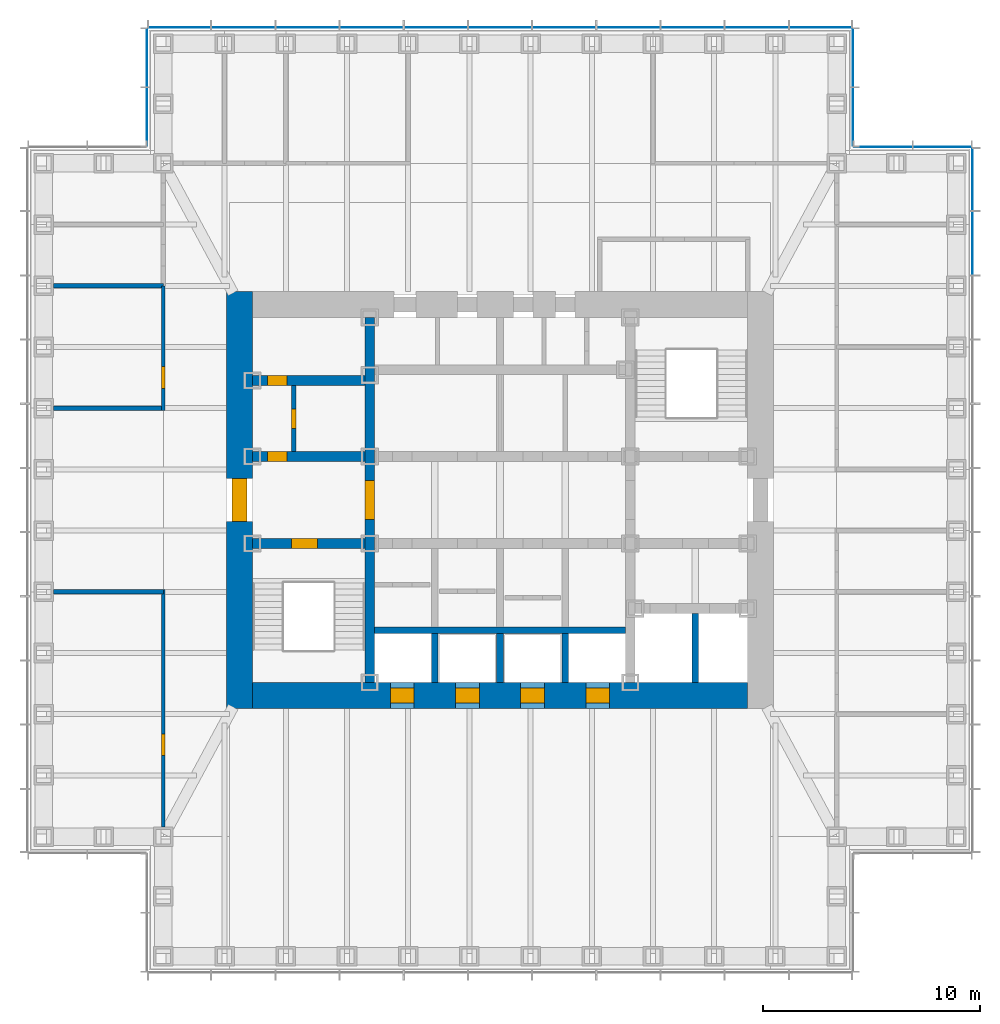
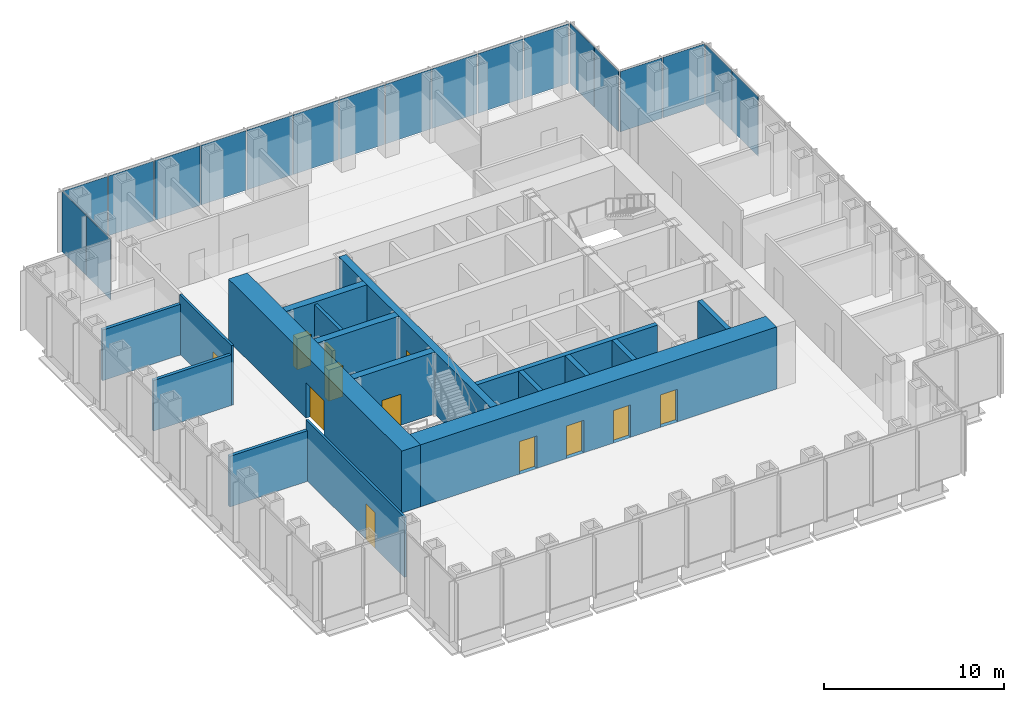
# One storey, part 8 of 16: 19 plates, 17 walls, 12 doors, 12 openings, 5 elements without a shape of their own.
"""IFC4 building model written with IfcOpenShell, lengths in metres."""

from ifc_helpers import new_model, si_unit, direction, frame, frame_2d, origin, origin_2d, place, context, subcontext, project, spatial, rectangle, extrude, material, layer, layer_set, type_object, element, fill, aggregate, save


model = new_model("IFC4")

# Units and contexts
model_context = context("Model", 3, precision=1e-05, world=origin(), true_north=direction((0.0, 1.0)))
body_context = subcontext(model_context, "Body", "Model", "MODEL_VIEW")
ifc_project = project(units=[si_unit("LENGTHUNIT", "METRE"), si_unit("AREAUNIT", "SQUARE_METRE"), si_unit("VOLUMEUNIT", "CUBIC_METRE"), si_unit("PLANEANGLEUNIT", "RADIAN"), si_unit("MASSUNIT", "GRAM", prefix="KILO")], contexts=[model_context])

# Site, building, storey
site_placement = place(None, origin())
site = spatial("IfcSite", under=ifc_project, at=site_placement, CompositionType="ELEMENT")
building_placement = place(site_placement, origin())
building = spatial("IfcBuilding", under=site, at=building_placement, Name="Daluyong Arena Tower", CompositionType="ELEMENT")
storey_placement = place(building_placement, frame((0.0, 0.0, 210.699951171875)))
storey = spatial("IfcBuildingStorey", under=building, at=storey_placement, Name="L47", CompositionType="ELEMENT", Elevation=210.699951171875)

# Curtain wall, plates
ifc_material_1 = material(Name="Bronze anodised aluminium and glass", Category="aluminium")
curtain_wall_type_1 = type_object("IfcCurtainWallType", Name="Curtain wall CW3", PredefinedType="USERDEFINED", material=ifc_material_1)
curtain_wall_1_placement = place(storey_placement, origin())
curtain_wall_1 = element("IfcCurtainWall", 1, at=curtain_wall_1_placement, inside=storey, type_object=curtain_wall_type_1, Name="curtain wall L47 E", ObjectType="UNITISED CURTAIN WALL", PredefinedType="USERDEFINED")
ifc_material_2 = material(Name="Tinted double glazed unit", Category="glass")
ifc_layer_1 = layer(ifc_material_2, 0.030029296875)
ifc_layer_set_1 = layer_set([ifc_layer_1], Name="Tinted double glazed unit")
plate_type_1 = type_object("IfcPlateType", Name="CW3 panel 30", PredefinedType="CURTAIN_PANEL", material=ifc_layer_set_1)
plate_1_placement = place(storey_placement, frame((77.75, 91.818115234375, 0.0), z_axis=(0.0, 0.0, 1.0), x_axis=(0.0, 1.0, 0.0)))
plate_1 = element("IfcPlate", 2, at=plate_1_placement, type_object=plate_type_1, Name="curtain wall L47 E panel 10", PredefinedType="CURTAIN_PANEL", context=body_context, shape_type="SweptSolid", body=[
    extrude(rectangle(XDim=2.884521484375, YDim=0.030029296875, at=origin_2d()), origin(), (0.0, 0.0, 1.0), 4.0400390625),
])
plate_2_placement = place(storey_placement, frame((77.75, 94.755126953125, 0.0), z_axis=(0.0, 0.0, 1.0), x_axis=(0.0, 1.0, 0.0)))
plate_2 = element("IfcPlate", 3, at=plate_2_placement, type_object=plate_type_1, Name="curtain wall L47 E panel 11", PredefinedType="CURTAIN_PANEL", context=body_context, shape_type="SweptSolid", body=[
    extrude(rectangle(XDim=2.849609375, YDim=0.030029296875, at=origin_2d()), origin(), (0.0, 0.0, 1.0), 4.0400390625),
])
aggregate(curtain_wall_1, [plate_1, plate_2])

curtain_wall_2_placement = place(storey_placement, origin())
curtain_wall_2 = element("IfcCurtainWall", 4, at=curtain_wall_2_placement, inside=storey, type_object=curtain_wall_type_1, Name="curtain wall L47 N", ObjectType="UNITISED CURTAIN WALL", PredefinedType="USERDEFINED")
plate_3_placement = place(storey_placement, frame((70.755126953125, 101.75, 0.0), z_axis=(0.0, 0.0, 1.0), x_axis=(-1.0, 0.0, 0.0)))
plate_3 = element("IfcPlate", 5, at=plate_3_placement, type_object=plate_type_1, Name="curtain wall L47 N panel 1", PredefinedType="CURTAIN_PANEL", context=body_context, shape_type="SweptSolid", body=[
    extrude(rectangle(XDim=2.849609375, YDim=0.030029296875, at=origin_2d()), origin(), (0.0, 0.0, 1.0), 4.0400390625),
])
plate_4_placement = place(storey_placement, frame((67.818115234375, 101.75, 0.0), z_axis=(0.0, 0.0, 1.0), x_axis=(-1.0, 0.0, 0.0)))
plate_4 = element("IfcPlate", 6, at=plate_4_placement, type_object=plate_type_1, Name="curtain wall L47 N panel 2", PredefinedType="CURTAIN_PANEL", context=body_context, shape_type="SweptSolid", body=[
    extrude(rectangle(XDim=2.884521484375, YDim=0.030029296875, at=origin_2d()), origin(), (0.0, 0.0, 1.0), 4.0400390625),
])
plate_5_placement = place(storey_placement, frame((64.863525390625, 101.75, 0.0), z_axis=(0.0, 0.0, 1.0), x_axis=(-1.0, 0.0, 0.0)))
plate_5 = element("IfcPlate", 7, at=plate_5_placement, type_object=plate_type_1, Name="curtain wall L47 N panel 3", PredefinedType="CURTAIN_PANEL", context=body_context, shape_type="SweptSolid", body=[
    extrude(rectangle(XDim=2.884521484375, YDim=0.030029296875, at=origin_2d()), origin(), (0.0, 0.0, 1.0), 4.0400390625),
])
plate_6_placement = place(storey_placement, frame((61.9091796875, 101.75, 0.0), z_axis=(0.0, 0.0, 1.0), x_axis=(-1.0, 0.0, 0.0)))
plate_6 = element("IfcPlate", 8, at=plate_6_placement, type_object=plate_type_1, Name="curtain wall L47 N panel 4", PredefinedType="CURTAIN_PANEL", context=body_context, shape_type="SweptSolid", body=[
    extrude(rectangle(XDim=2.884521484375, YDim=0.030029296875, at=origin_2d()), origin(), (0.0, 0.0, 1.0), 4.0400390625),
])
plate_7_placement = place(storey_placement, frame((58.95458984375, 101.75, 0.0), z_axis=(0.0, 0.0, 1.0), x_axis=(-1.0, 0.0, 0.0)))
plate_7 = element("IfcPlate", 9, at=plate_7_placement, type_object=plate_type_1, Name="curtain wall L47 N panel 5", PredefinedType="CURTAIN_PANEL", context=body_context, shape_type="SweptSolid", body=[
    extrude(rectangle(XDim=2.884521484375, YDim=0.030029296875, at=origin_2d()), origin(), (0.0, 0.0, 1.0), 4.0400390625),
])
plate_8_placement = place(storey_placement, frame((56.0, 101.75, 0.0), z_axis=(0.0, 0.0, 1.0), x_axis=(-1.0, 0.0, 0.0)))
plate_8 = element("IfcPlate", 10, at=plate_8_placement, type_object=plate_type_1, Name="curtain wall L47 N panel 6", PredefinedType="CURTAIN_PANEL", context=body_context, shape_type="SweptSolid", body=[
    extrude(rectangle(XDim=2.884521484375, YDim=0.030029296875, at=origin_2d()), origin(), (0.0, 0.0, 1.0), 4.0400390625),
])
plate_9_placement = place(storey_placement, frame((53.04541015625, 101.75, 0.0), z_axis=(0.0, 0.0, 1.0), x_axis=(-1.0, 0.0, 0.0)))
plate_9 = element("IfcPlate", 11, at=plate_9_placement, type_object=plate_type_1, Name="curtain wall L47 N panel 7", PredefinedType="CURTAIN_PANEL", context=body_context, shape_type="SweptSolid", body=[
    extrude(rectangle(XDim=2.884521484375, YDim=0.030029296875, at=origin_2d()), origin(), (0.0, 0.0, 1.0), 4.0400390625),
])
plate_10_placement = place(storey_placement, frame((50.0908203125, 101.75, 0.0), z_axis=(0.0, 0.0, 1.0), x_axis=(-1.0, 0.0, 0.0)))
plate_10 = element("IfcPlate", 12, at=plate_10_placement, type_object=plate_type_1, Name="curtain wall L47 N panel 8", PredefinedType="CURTAIN_PANEL", context=body_context, shape_type="SweptSolid", body=[
    extrude(rectangle(XDim=2.884521484375, YDim=0.030029296875, at=origin_2d()), origin(), (0.0, 0.0, 1.0), 4.0400390625),
])
plate_11_placement = place(storey_placement, frame((47.136474609375, 101.75, 0.0), z_axis=(0.0, 0.0, 1.0), x_axis=(-1.0, 0.0, 0.0)))
plate_11 = element("IfcPlate", 13, at=plate_11_placement, type_object=plate_type_1, Name="curtain wall L47 N panel 9", PredefinedType="CURTAIN_PANEL", context=body_context, shape_type="SweptSolid", body=[
    extrude(rectangle(XDim=2.884521484375, YDim=0.030029296875, at=origin_2d()), origin(), (0.0, 0.0, 1.0), 4.0400390625),
])
plate_12_placement = place(storey_placement, frame((44.181884765625, 101.75, 0.0), z_axis=(0.0, 0.0, 1.0), x_axis=(-1.0, 0.0, 0.0)))
plate_12 = element("IfcPlate", 14, at=plate_12_placement, type_object=plate_type_1, Name="curtain wall L47 N panel 10", PredefinedType="CURTAIN_PANEL", context=body_context, shape_type="SweptSolid", body=[
    extrude(rectangle(XDim=2.884521484375, YDim=0.030029296875, at=origin_2d()), origin(), (0.0, 0.0, 1.0), 4.0400390625),
])
plate_13_placement = place(storey_placement, frame((41.244873046875, 101.75, 0.0), z_axis=(0.0, 0.0, 1.0), x_axis=(-1.0, 0.0, 0.0)))
plate_13 = element("IfcPlate", 15, at=plate_13_placement, type_object=plate_type_1, Name="curtain wall L47 N panel 11", PredefinedType="CURTAIN_PANEL", context=body_context, shape_type="SweptSolid", body=[
    extrude(rectangle(XDim=2.849609375, YDim=0.030029296875, at=origin_2d()), origin(), (0.0, 0.0, 1.0), 4.0400390625),
])
aggregate(curtain_wall_2, [plate_3, plate_4, plate_5, plate_6, plate_7, plate_8, plate_9, plate_10, plate_11, plate_12, plate_13])

ifc_material_3 = material(Name="Bronze anodised aluminium and glass", Category="aluminium")
curtain_wall_type_2 = type_object("IfcCurtainWallType", Name="Curtain wall CW7", PredefinedType="USERDEFINED", material=ifc_material_3)
curtain_wall_3_placement = place(storey_placement, origin())
curtain_wall_3 = element("IfcCurtainWall", 16, at=curtain_wall_3_placement, inside=storey, type_object=curtain_wall_type_2, Name="curtain wall L47 NE-N", ObjectType="UNITISED CURTAIN WALL", PredefinedType="USERDEFINED")
ifc_material_4 = material(Name="Tinted double glazed unit", Category="glass")
ifc_layer_2 = layer(ifc_material_4, 0.028076171875)
ifc_layer_set_2 = layer_set([ifc_layer_2], Name="Tinted double glazed unit")
plate_type_2 = type_object("IfcPlateType", Name="CW7 panel 28", PredefinedType="CURTAIN_PANEL", material=ifc_layer_set_2)
plate_14_placement = place(storey_placement, frame((76.360107421875, 96.25, 0.0), z_axis=(0.0, 0.0, 1.0), x_axis=(-1.0, 0.0, 0.0)))
plate_14 = element("IfcPlate", 17, at=plate_14_placement, type_object=plate_type_2, Name="curtain wall L47 NE-N panel 1", PredefinedType="CURTAIN_PANEL", context=body_context, shape_type="SweptSolid", body=[
    extrude(rectangle(XDim=2.659912109375, YDim=0.028076171875, at=origin_2d()), origin(), (0.0, 0.0, 1.0), 4.080078125),
])
plate_15_placement = place(storey_placement, frame((73.639892578125, 96.25, 0.0), z_axis=(0.0, 0.0, 1.0), x_axis=(-1.0, 0.0, 0.0)))
plate_15 = element("IfcPlate", 18, at=plate_15_placement, type_object=plate_type_2, Name="curtain wall L47 NE-N panel 2", PredefinedType="CURTAIN_PANEL", context=body_context, shape_type="SweptSolid", body=[
    extrude(rectangle(XDim=2.659912109375, YDim=0.028076171875, at=origin_2d()), origin(), (0.0, 0.0, 1.0), 4.080078125),
])
aggregate(curtain_wall_3, [plate_14, plate_15])

curtain_wall_4_placement = place(storey_placement, origin())
curtain_wall_4 = element("IfcCurtainWall", 19, at=curtain_wall_4_placement, inside=storey, type_object=curtain_wall_type_2, Name="curtain wall L47 NE-E", ObjectType="UNITISED CURTAIN WALL", PredefinedType="USERDEFINED")
plate_16_placement = place(storey_placement, frame((72.25, 97.639892578125, 0.0), z_axis=(0.0, 0.0, 1.0), x_axis=(0.0, 1.0, 0.0)))
plate_16 = element("IfcPlate", 20, at=plate_16_placement, type_object=plate_type_2, Name="curtain wall L47 NE-E panel 1", PredefinedType="CURTAIN_PANEL", context=body_context, shape_type="SweptSolid", body=[
    extrude(rectangle(XDim=2.659912109375, YDim=0.028076171875, at=origin_2d()), origin(), (0.0, 0.0, 1.0), 4.080078125),
])
plate_17_placement = place(storey_placement, frame((72.25, 100.360107421875, 0.0), z_axis=(0.0, 0.0, 1.0), x_axis=(0.0, 1.0, 0.0)))
plate_17 = element("IfcPlate", 21, at=plate_17_placement, type_object=plate_type_2, Name="curtain wall L47 NE-E panel 2", PredefinedType="CURTAIN_PANEL", context=body_context, shape_type="SweptSolid", body=[
    extrude(rectangle(XDim=2.659912109375, YDim=0.028076171875, at=origin_2d()), origin(), (0.0, 0.0, 1.0), 4.080078125),
])
aggregate(curtain_wall_4, [plate_16, plate_17])

curtain_wall_5_placement = place(storey_placement, origin())
curtain_wall_5 = element("IfcCurtainWall", 22, at=curtain_wall_5_placement, inside=storey, type_object=curtain_wall_type_2, Name="curtain wall L47 NW-W", ObjectType="UNITISED CURTAIN WALL", PredefinedType="USERDEFINED")
plate_18_placement = place(storey_placement, frame((39.75, 100.360107421875, 0.0), z_axis=(0.0, 0.0, 1.0), x_axis=(0.0, -1.0, 0.0)))
plate_18 = element("IfcPlate", 23, at=plate_18_placement, type_object=plate_type_2, Name="curtain wall L47 NW-W panel 1", PredefinedType="CURTAIN_PANEL", context=body_context, shape_type="SweptSolid", body=[
    extrude(rectangle(XDim=2.659912109375, YDim=0.028076171875, at=origin_2d()), origin(), (0.0, 0.0, 1.0), 4.080078125),
])
plate_19_placement = place(storey_placement, frame((39.75, 97.639892578125, 0.0), z_axis=(0.0, 0.0, 1.0), x_axis=(0.0, -1.0, 0.0)))
plate_19 = element("IfcPlate", 24, at=plate_19_placement, type_object=plate_type_2, Name="curtain wall L47 NW-W panel 2", PredefinedType="CURTAIN_PANEL", context=body_context, shape_type="SweptSolid", body=[
    extrude(rectangle(XDim=2.659912109375, YDim=0.028076171875, at=origin_2d()), origin(), (0.0, 0.0, 1.0), 4.080078125),
])
aggregate(curtain_wall_5, [plate_18, plate_19])

# Wall, opening, door
ifc_material_5 = material(Name="Concrete fc' 45 MPa", Category="concrete")
ifc_layer_3 = layer(ifc_material_5, 0.449951171875)
ifc_layer_set_3 = layer_set([ifc_layer_3], Name="Concrete fc' 45 MPa")
wall_type_1 = type_object("IfcWallType", Name="Core inner wall 450", PredefinedType="SHEAR", material=ifc_layer_set_3)
wall_1_placement = place(storey_placement, frame((50.0, 71.60009765625, 0.0), z_axis=(0.0, 0.0, 1.0), x_axis=(0.0, 1.0, 0.0)))
wall_1 = element("IfcWall", 25, at=wall_1_placement, inside=storey, type_object=wall_type_1, Name="core inner wall at L47", PredefinedType="SHEAR", context=body_context, shape_type="SweptSolid", body=[
    extrude(rectangle(XDim=16.7998046875, YDim=0.449951171875, at=frame_2d((8.39990234375, 0.0))), origin(), (0.0, 0.0, 1.0), 4.199951171875),
])
opening_1_placement = place(wall_1_placement, frame((7.5, 0.0, 0.0)))
opening_1 = element("IfcOpeningElement", 26, at=opening_1_placement, cuts=wall_1, Name="Opening 47024", PredefinedType="OPENING", context=body_context, shape_type="SweptSolid", body=[
    extrude(rectangle(XDim=1.800048828125, YDim=2.39990234375, at=frame_2d((0.89990234375, 1.199951171875))), frame((0.0, 0.23486328125, 0.0), z_axis=(0.0, -1.0, 0.0), x_axis=(1.0, 0.0, 0.0)), (0.0, 0.0, 1.0), 0.469970703125),
])
ifc_material_6 = material(Name="Steel door, fire rated", Category="steel")
door_type_1 = type_object("IfcDoorType", Name="Lift lobby opening door 1800", OperationType="DOUBLE_DOOR_SINGLE_SWING", PredefinedType="DOOR", material=ifc_material_6)
door_1_placement = place(opening_1_placement, origin())
door_1 = element("IfcDoor", 27, at=door_1_placement, inside=storey, type_object=door_type_1, Name="lift lobby door west 47024", OperationType="DOUBLE_DOOR_SINGLE_SWING", OverallHeight=2.39990234375, OverallWidth=1.800048828125, PredefinedType="DOOR", context=body_context, shape_type="SweptSolid", body=[
    extrude(rectangle(XDim=1.800048828125, YDim=2.39990234375, at=frame_2d((0.89990234375, 1.199951171875))), frame((0.0, 0.224609375, 0.0), z_axis=(0.0, -1.0, 0.0), x_axis=(1.0, 0.0, 0.0)), (0.0, 0.0, 1.0), 0.449462890625),
])
fill(opening_1, door_1)

wall_2_placement = place(storey_placement, frame((44.60009765625, 78.0, 0.0), z_axis=(0.0, 0.0, 1.0), x_axis=(1.0, 0.0, 0.0)))
wall_2 = element("IfcWall", 28, at=wall_2_placement, inside=storey, type_object=wall_type_1, Name="core inner wall at L47", PredefinedType="SHEAR", context=body_context, shape_type="SweptSolid", body=[
    extrude(rectangle(XDim=5.1748046875, YDim=0.449951171875, at=frame_2d((2.58740234375, 0.0))), origin(), (0.0, 0.0, 1.0), 4.199951171875),
])
opening_2_placement = place(wall_2_placement, frame((1.800048828125, 0.0, 0.0)))
opening_2 = element("IfcOpeningElement", 29, at=opening_2_placement, cuts=wall_2, Name="Opening 47020", PredefinedType="OPENING", context=body_context, shape_type="SweptSolid", body=[
    extrude(rectangle(XDim=1.199951171875, YDim=2.10009765625, at=frame_2d((0.60009765625, 1.050048828125))), frame((0.0, 0.23486328125, 0.0), z_axis=(0.0, -1.0, 0.0), x_axis=(1.0, 0.0, 0.0)), (0.0, 0.0, 1.0), 0.469970703125),
])
ifc_material_7 = material(Name="Steel door, fire rated", Category="steel")
door_type_2 = type_object("IfcDoorType", Name="Stair door 1200", OperationType="SINGLE_SWING_LEFT", PredefinedType="DOOR", material=ifc_material_7)
door_2_placement = place(opening_2_placement, origin())
door_2 = element("IfcDoor", 30, at=door_2_placement, inside=storey, type_object=door_type_2, Name="stair A door 47020", OperationType="SINGLE_SWING_LEFT", OverallHeight=2.10009765625, OverallWidth=1.199951171875, PredefinedType="DOOR", context=body_context, shape_type="SweptSolid", body=[
    extrude(rectangle(XDim=1.199951171875, YDim=2.10009765625, at=frame_2d((0.60009765625, 1.050048828125))), frame((0.0, 0.224609375, 0.0), z_axis=(0.0, -1.0, 0.0), x_axis=(1.0, 0.0, 0.0)), (0.0, 0.0, 1.0), 0.449462890625),
])
fill(opening_2, door_2)

wall_3_placement = place(storey_placement, frame((44.60009765625, 82.0, 0.0), z_axis=(0.0, 0.0, 1.0), x_axis=(1.0, 0.0, 0.0)))
wall_3 = element("IfcWall", 31, at=wall_3_placement, inside=storey, type_object=wall_type_1, Name="core inner wall at L47", PredefinedType="SHEAR", context=body_context, shape_type="SweptSolid", body=[
    extrude(rectangle(XDim=5.1748046875, YDim=0.449951171875, at=frame_2d((2.58740234375, 0.0))), origin(), (0.0, 0.0, 1.0), 4.199951171875),
])
opening_3_placement = place(wall_3_placement, frame((0.699951171875, 0.0, 0.0)))
opening_3 = element("IfcOpeningElement", 32, at=opening_3_placement, cuts=wall_3, Name="Opening 47001", PredefinedType="OPENING", context=body_context, shape_type="SweptSolid", body=[
    extrude(rectangle(XDim=0.89990234375, YDim=2.10009765625, at=frame_2d((0.449951171875, 1.050048828125))), frame((0.0, 0.23486328125, 0.0), z_axis=(0.0, -1.0, 0.0), x_axis=(1.0, 0.0, 0.0)), (0.0, 0.0, 1.0), 0.469970703125),
])
ifc_material_8 = material(Name="Steel door, fire rated", Category="steel")
door_type_3 = type_object("IfcDoorType", Name="Core room door 900", OperationType="SINGLE_SWING_LEFT", PredefinedType="DOOR", material=ifc_material_8)
door_3_placement = place(opening_3_placement, origin())
door_3 = element("IfcDoor", 33, at=door_3_placement, inside=storey, type_object=door_type_3, Name="toilet lobby door 47001", OperationType="SINGLE_SWING_LEFT", OverallHeight=2.10009765625, OverallWidth=0.89990234375, PredefinedType="DOOR", context=body_context, shape_type="SweptSolid", body=[
    extrude(rectangle(XDim=0.89990234375, YDim=2.10009765625, at=frame_2d((0.449951171875, 1.050048828125))), frame((0.0, 0.224609375, 0.0), z_axis=(0.0, -1.0, 0.0), x_axis=(1.0, 0.0, 0.0)), (0.0, 0.0, 1.0), 0.449462890625),
])
fill(opening_3, door_3)

wall_4_placement = place(storey_placement, frame((44.60009765625, 85.5, 0.0), z_axis=(0.0, 0.0, 1.0), x_axis=(1.0, 0.0, 0.0)))
wall_4 = element("IfcWall", 34, at=wall_4_placement, inside=storey, type_object=wall_type_1, Name="core inner wall at L47", PredefinedType="SHEAR", context=body_context, shape_type="SweptSolid", body=[
    extrude(rectangle(XDim=5.1748046875, YDim=0.449951171875, at=frame_2d((2.58740234375, 0.0))), origin(), (0.0, 0.0, 1.0), 4.199951171875),
])
opening_4_placement = place(wall_4_placement, frame((0.699951171875, 0.0, 0.0)))
opening_4 = element("IfcOpeningElement", 35, at=opening_4_placement, cuts=wall_4, Name="Opening 47003", PredefinedType="OPENING", context=body_context, shape_type="SweptSolid", body=[
    extrude(rectangle(XDim=0.89990234375, YDim=2.10009765625, at=frame_2d((0.449951171875, 1.050048828125))), frame((0.0, 0.23486328125, 0.0), z_axis=(0.0, -1.0, 0.0), x_axis=(1.0, 0.0, 0.0)), (0.0, 0.0, 1.0), 0.469970703125),
])
ifc_material_9 = material(Name="Timber door", Category="wood")
door_type_4 = type_object("IfcDoorType", Name="Toilet door 900", OperationType="SINGLE_SWING_RIGHT", PredefinedType="DOOR", material=ifc_material_9)
door_4_placement = place(opening_4_placement, origin())
door_4 = element("IfcDoor", 36, at=door_4_placement, inside=storey, type_object=door_type_4, Name="female toilet door 47003", OperationType="SINGLE_SWING_RIGHT", OverallHeight=2.10009765625, OverallWidth=0.89990234375, PredefinedType="DOOR", context=body_context, shape_type="SweptSolid", body=[
    extrude(rectangle(XDim=0.89990234375, YDim=2.10009765625, at=frame_2d((0.449951171875, 1.050048828125))), frame((0.0, 0.224609375, 0.0), z_axis=(0.0, -1.0, 0.0), x_axis=(1.0, 0.0, 0.0)), (0.0, 0.0, 1.0), 0.449462890625),
])
fill(opening_4, door_4)

ifc_material_10 = material(Name="Concrete fc' 60 MPa", Category="concrete")
ifc_layer_4 = layer(ifc_material_10, 1.199951171875)
ifc_layer_set_4 = layer_set([ifc_layer_4], Name="Concrete fc' 60 MPa")
wall_type_2 = type_object("IfcWallType", Name="Core wall 1200", PredefinedType="SHEAR", material=ifc_layer_set_4)
wall_5_placement = place(storey_placement, frame((44.0, 70.39990234375, 0.0), z_axis=(0.0, 0.0, 1.0), x_axis=(0.0, 1.0, 0.0)))
wall_5 = element("IfcWall", 37, at=wall_5_placement, inside=storey, type_object=wall_type_2, Name="core wall at L47", PredefinedType="SHEAR", context=body_context, shape_type="SweptSolid", body=[
    extrude(rectangle(XDim=19.2001953125, YDim=1.199951171875, at=frame_2d((9.60009765625, 0.0))), origin(), (0.0, 0.0, 1.0), 4.199951171875),
])
opening_5_placement = place(wall_5_placement, frame((8.60009765625, 0.0, 0.0)))
opening_5 = element("IfcOpeningElement", 38, at=opening_5_placement, cuts=wall_5, Name="Opening 47022", PredefinedType="OPENING", context=body_context, shape_type="SweptSolid", body=[
    extrude(rectangle(XDim=2.0, YDim=2.39990234375, at=frame_2d((1.0, 1.199951171875))), frame((0.0, 0.60986328125, 0.0), z_axis=(0.0, -1.0, 0.0), x_axis=(1.0, 0.0, 0.0)), (0.0, 0.0, 1.0), 1.219970703125),
])
ifc_material_11 = material(Name="Steel door, fire rated", Category="steel")
door_type_5 = type_object("IfcDoorType", Name="Core lobby double door 2000", OperationType="DOUBLE_DOOR_SINGLE_SWING", PredefinedType="DOOR", material=ifc_material_11)
door_5_placement = place(opening_5_placement, origin())
door_5 = element("IfcDoor", 39, at=door_5_placement, inside=storey, type_object=door_type_5, Name="core lobby door west 47022", OperationType="DOUBLE_DOOR_SINGLE_SWING", OverallHeight=2.39990234375, OverallWidth=2.0, PredefinedType="DOOR", context=body_context, shape_type="SweptSolid", body=[
    extrude(rectangle(XDim=2.0, YDim=2.39990234375, at=frame_2d((1.0, 1.199951171875))), frame((0.0, 0.35009765625, 0.0), z_axis=(0.0, -1.0, 0.0), x_axis=(1.0, 0.0, 0.0)), (0.0, 0.0, 1.0), 0.699951171875),
])
fill(opening_5, door_5)

# Wall, openings, doors
wall_6_placement = place(storey_placement, frame((44.60009765625, 71.0, 0.0), z_axis=(0.0, 0.0, 1.0), x_axis=(1.0, 0.0, 0.0)))
wall_6 = element("IfcWall", 40, at=wall_6_placement, inside=storey, type_object=wall_type_2, Name="core wall at L47", PredefinedType="SHEAR", context=body_context, shape_type="SweptSolid", body=[
    extrude(rectangle(XDim=22.7998046875, YDim=1.199951171875, at=frame_2d((11.39990234375, 0.0))), origin(), (0.0, 0.0, 1.0), 4.199951171875),
])
opening_6_placement = place(wall_6_placement, frame((6.35009765625, 0.0, 0.0)))
opening_6 = element("IfcOpeningElement", 41, at=opening_6_placement, cuts=wall_6, Name="Opening 47027", PredefinedType="OPENING", context=body_context, shape_type="SweptSolid", body=[
    extrude(rectangle(XDim=1.10009765625, YDim=2.199951171875, at=frame_2d((0.550048828125, 1.10009765625))), frame((0.0, 0.60986328125, 0.0), z_axis=(0.0, -1.0, 0.0), x_axis=(1.0, 0.0, 0.0)), (0.0, 0.0, 1.0), 1.219970703125),
])
opening_7_placement = place(wall_6_placement, frame((9.35009765625, 0.0, 0.0)))
opening_7 = element("IfcOpeningElement", 42, at=opening_7_placement, cuts=wall_6, Name="Opening 47028", PredefinedType="OPENING", context=body_context, shape_type="SweptSolid", body=[
    extrude(rectangle(XDim=1.10009765625, YDim=2.199951171875, at=frame_2d((0.550048828125, 1.10009765625))), frame((0.0, 0.60986328125, 0.0), z_axis=(0.0, -1.0, 0.0), x_axis=(1.0, 0.0, 0.0)), (0.0, 0.0, 1.0), 1.219970703125),
])
opening_8_placement = place(wall_6_placement, frame((12.35009765625, 0.0, 0.0)))
opening_8 = element("IfcOpeningElement", 43, at=opening_8_placement, cuts=wall_6, Name="Opening 47029", PredefinedType="OPENING", context=body_context, shape_type="SweptSolid", body=[
    extrude(rectangle(XDim=1.10009765625, YDim=2.199951171875, at=frame_2d((0.550048828125, 1.10009765625))), frame((0.0, 0.60986328125, 0.0), z_axis=(0.0, -1.0, 0.0), x_axis=(1.0, 0.0, 0.0)), (0.0, 0.0, 1.0), 1.219970703125),
])
opening_9_placement = place(wall_6_placement, frame((15.35009765625, 0.0, 0.0)))
opening_9 = element("IfcOpeningElement", 44, at=opening_9_placement, cuts=wall_6, Name="Opening 47030", PredefinedType="OPENING", context=body_context, shape_type="SweptSolid", body=[
    extrude(rectangle(XDim=1.10009765625, YDim=2.199951171875, at=frame_2d((0.550048828125, 1.10009765625))), frame((0.0, 0.60986328125, 0.0), z_axis=(0.0, -1.0, 0.0), x_axis=(1.0, 0.0, 0.0)), (0.0, 0.0, 1.0), 1.219970703125),
])
ifc_material_12 = material(Name="Steel door, fire rated", Category="steel")
door_type_6 = type_object("IfcDoorType", Name="Lift landing door 1100", OperationType="SLIDING_TO_LEFT", PredefinedType="DOOR", material=ifc_material_12)
door_6_placement = place(opening_6_placement, origin())
door_6 = element("IfcDoor", 45, at=door_6_placement, inside=storey, type_object=door_type_6, Name="lift landing door C1 47027", OperationType="SLIDING_TO_LEFT", OverallHeight=2.199951171875, OverallWidth=1.10009765625, PredefinedType="DOOR", context=body_context, shape_type="SweptSolid", body=[
    extrude(rectangle(XDim=1.10009765625, YDim=2.199951171875, at=frame_2d((0.550048828125, 1.10009765625))), frame((0.0, 0.35009765625, 0.0), z_axis=(0.0, -1.0, 0.0), x_axis=(1.0, 0.0, 0.0)), (0.0, 0.0, 1.0), 0.699951171875),
])
fill(opening_6, door_6)
door_7_placement = place(opening_7_placement, origin())
door_7 = element("IfcDoor", 46, at=door_7_placement, inside=storey, type_object=door_type_6, Name="lift landing door C2 47028", OperationType="SLIDING_TO_LEFT", OverallHeight=2.199951171875, OverallWidth=1.10009765625, PredefinedType="DOOR", context=body_context, shape_type="SweptSolid", body=[
    extrude(rectangle(XDim=1.10009765625, YDim=2.199951171875, at=frame_2d((0.550048828125, 1.10009765625))), frame((0.0, 0.35009765625, 0.0), z_axis=(0.0, -1.0, 0.0), x_axis=(1.0, 0.0, 0.0)), (0.0, 0.0, 1.0), 0.699951171875),
])
fill(opening_7, door_7)
door_8_placement = place(opening_8_placement, origin())
door_8 = element("IfcDoor", 47, at=door_8_placement, inside=storey, type_object=door_type_6, Name="lift landing door C3 47029", OperationType="SLIDING_TO_LEFT", OverallHeight=2.199951171875, OverallWidth=1.10009765625, PredefinedType="DOOR", context=body_context, shape_type="SweptSolid", body=[
    extrude(rectangle(XDim=1.10009765625, YDim=2.199951171875, at=frame_2d((0.550048828125, 1.10009765625))), frame((0.0, 0.35009765625, 0.0), z_axis=(0.0, -1.0, 0.0), x_axis=(1.0, 0.0, 0.0)), (0.0, 0.0, 1.0), 0.699951171875),
])
fill(opening_8, door_8)
door_9_placement = place(opening_9_placement, origin())
door_9 = element("IfcDoor", 48, at=door_9_placement, inside=storey, type_object=door_type_6, Name="lift landing door C4 47030", OperationType="SLIDING_TO_LEFT", OverallHeight=2.199951171875, OverallWidth=1.10009765625, PredefinedType="DOOR", context=body_context, shape_type="SweptSolid", body=[
    extrude(rectangle(XDim=1.10009765625, YDim=2.199951171875, at=frame_2d((0.550048828125, 1.10009765625))), frame((0.0, 0.35009765625, 0.0), z_axis=(0.0, -1.0, 0.0), x_axis=(1.0, 0.0, 0.0)), (0.0, 0.0, 1.0), 0.699951171875),
])
fill(opening_9, door_9)

# Wall, opening, door
ifc_material_13 = material(Name="Concrete block partition, fire rated", Category="concrete")
ifc_layer_5 = layer(ifc_material_13, 0.199951171875)
ifc_layer_set_5 = layer_set([ifc_layer_5], Name="Concrete block partition, fire rated")
wall_type_3 = type_object("IfcWallType", Name="Fire-rated partition 200", PredefinedType="PARTITIONING", material=ifc_layer_set_5)
wall_7_placement = place(storey_placement, frame((46.5, 82.22509765625, 0.0), z_axis=(0.0, 0.0, 1.0), x_axis=(0.0, 1.0, 0.0)))
wall_7 = element("IfcWall", 49, at=wall_7_placement, inside=storey, type_object=wall_type_3, Name="toilet lobby partition at L47", PredefinedType="PARTITIONING", context=body_context, shape_type="SweptSolid", body=[
    extrude(rectangle(XDim=3.0498046875, YDim=0.199951171875, at=frame_2d((1.52490234375, 0.0))), origin(), (0.0, 0.0, 1.0), 4.0400390625),
])
opening_10_placement = place(wall_7_placement, frame((1.074951171875, 0.0, 0.0)))
opening_10 = element("IfcOpeningElement", 50, at=opening_10_placement, cuts=wall_7, Name="Opening 47002", PredefinedType="OPENING", context=body_context, shape_type="SweptSolid", body=[
    extrude(rectangle(XDim=0.89990234375, YDim=2.10009765625, at=frame_2d((0.449951171875, 1.050048828125))), frame((0.0, 0.10986328125, 0.0), z_axis=(0.0, -1.0, 0.0), x_axis=(1.0, 0.0, 0.0)), (0.0, 0.0, 1.0), 0.219970703125),
])
door_10_placement = place(opening_10_placement, origin())
door_10 = element("IfcDoor", 51, at=door_10_placement, inside=storey, type_object=door_type_4, Name="male toilet door 47002", OperationType="SINGLE_SWING_RIGHT", OverallHeight=2.10009765625, OverallWidth=0.89990234375, PredefinedType="DOOR", context=body_context, shape_type="SweptSolid", body=[
    extrude(rectangle(XDim=0.89990234375, YDim=2.10009765625, at=frame_2d((0.449951171875, 1.050048828125))), frame((0.0, 0.099609375, 0.0), z_axis=(0.0, -1.0, 0.0), x_axis=(1.0, 0.0, 0.0)), (0.0, 0.0, 1.0), 0.199462890625),
])
fill(opening_10, door_10)

ifc_material_14 = material(Name="Glazed aluminium partition", Category="aluminium")
ifc_layer_6 = layer(ifc_material_14, 0.14990234375)
ifc_layer_set_6 = layer_set([ifc_layer_6], Name="Glazed aluminium partition")
wall_type_4 = type_object("IfcWallType", Name="Glazed partition 150", PredefinedType="PARTITIONING", material=ifc_layer_set_6)
wall_8_placement = place(storey_placement, frame((40.5, 64.949951171875, 0.0), z_axis=(0.0, 0.0, 1.0), x_axis=(0.0, 1.0, 0.0)))
wall_8 = element("IfcWall", 52, at=wall_8_placement, inside=storey, type_object=wall_type_4, Name="glazed partition at L47", PredefinedType="PARTITIONING", context=body_context, shape_type="SweptSolid", body=[
    extrude(rectangle(XDim=10.9228515625, YDim=0.14990234375, at=frame_2d((5.46142578125, 0.0))), origin(), (0.0, 0.0, 1.0), 4.0400390625),
])
opening_11_placement = place(wall_8_placement, frame((3.27734375, 0.0, 0.0)))
opening_11 = element("IfcOpeningElement", 53, at=opening_11_placement, cuts=wall_8, Name="Opening 47043", PredefinedType="OPENING", context=body_context, shape_type="SweptSolid", body=[
    extrude(rectangle(XDim=1.0, YDim=2.39990234375, at=frame_2d((0.5, 1.199951171875))), frame((0.0, 0.0849609375, 0.0), z_axis=(0.0, -1.0, 0.0), x_axis=(1.0, 0.0, 0.0)), (0.0, 0.0, 1.0), 0.169921875),
])
ifc_material_15 = material(Name="Glazed aluminium door", Category="aluminium")
door_type_7 = type_object("IfcDoorType", Name="Meeting room glazed door 1000", OperationType="SINGLE_SWING_RIGHT", PredefinedType="DOOR", material=ifc_material_15)
door_11_placement = place(opening_11_placement, origin())
door_11 = element("IfcDoor", 54, at=door_11_placement, inside=storey, type_object=door_type_7, Name="boardroom door 47043", OperationType="SINGLE_SWING_RIGHT", OverallHeight=2.39990234375, OverallWidth=1.0, PredefinedType="DOOR", context=body_context, shape_type="SweptSolid", body=[
    extrude(rectangle(XDim=1.0, YDim=2.39990234375, at=frame_2d((0.5, 1.199951171875))), frame((0.0, 0.07470703125, 0.0), z_axis=(0.0, -1.0, 0.0), x_axis=(1.0, 0.0, 0.0)), (0.0, 0.0, 1.0), 0.1494140625),
])
fill(opening_11, door_11)

wall_9_placement = place(storey_placement, frame((40.5, 84.127197265625, 0.0), z_axis=(0.0, 0.0, 1.0), x_axis=(0.0, 1.0, 0.0)))
wall_9 = element("IfcWall", 55, at=wall_9_placement, inside=storey, type_object=wall_type_4, Name="glazed partition at L47", PredefinedType="PARTITIONING", context=body_context, shape_type="SweptSolid", body=[
    extrude(rectangle(XDim=5.736328125, YDim=0.14990234375, at=frame_2d((2.8681640625, 0.0))), origin(), (0.0, 0.0, 1.0), 4.0400390625),
])
opening_12_placement = place(wall_9_placement, frame((1.009033203125, 0.0, 0.0)))
opening_12 = element("IfcOpeningElement", 56, at=opening_12_placement, cuts=wall_9, Name="Opening 47044", PredefinedType="OPENING", context=body_context, shape_type="SweptSolid", body=[
    extrude(rectangle(XDim=1.0, YDim=2.39990234375, at=frame_2d((0.5, 1.199951171875))), frame((0.0, 0.0849609375, 0.0), z_axis=(0.0, -1.0, 0.0), x_axis=(1.0, 0.0, 0.0)), (0.0, 0.0, 1.0), 0.169921875),
])
door_12_placement = place(opening_12_placement, origin())
door_12 = element("IfcDoor", 57, at=door_12_placement, inside=storey, type_object=door_type_7, Name="meeting room door 47044", OperationType="SINGLE_SWING_RIGHT", OverallHeight=2.39990234375, OverallWidth=1.0, PredefinedType="DOOR", context=body_context, shape_type="SweptSolid", body=[
    extrude(rectangle(XDim=1.0, YDim=2.39990234375, at=frame_2d((0.5, 1.199951171875))), frame((0.0, 0.07470703125, 0.0), z_axis=(0.0, -1.0, 0.0), x_axis=(1.0, 0.0, 0.0)), (0.0, 0.0, 1.0), 0.1494140625),
])
fill(opening_12, door_12)

# Walls
ifc_material_16 = material(Name="Concrete fc' 45 MPa", Category="concrete")
ifc_layer_7 = layer(ifc_material_16, 0.300048828125)
ifc_layer_set_7 = layer_set([ifc_layer_7], Name="Concrete fc' 45 MPa")
wall_type_5 = type_object("IfcWallType", Name="Lift shaft wall 300", PredefinedType="SHEAR", material=ifc_layer_set_7)
wall_10_placement = place(storey_placement, frame((50.22509765625, 74.0, 0.0), z_axis=(0.0, 0.0, 1.0), x_axis=(1.0, 0.0, 0.0)))
element("IfcWall", 58, at=wall_10_placement, inside=storey, type_object=wall_type_5, Name="lift shaft wall at L47", PredefinedType="SHEAR", context=body_context, shape_type="SweptSolid", body=[
    extrude(rectangle(XDim=11.5498046875, YDim=0.300048828125, at=frame_2d((5.77490234375, 0.0))), origin(), (0.0, 0.0, 1.0), 4.199951171875),
])
for number, where, z_axis, x_axis, name in (
    (59, (53.0, 71.60009765625, 0.0), (0.0, 0.0, 1.0), (0.0, 1.0, 0.0), "lift shaft wall at L47"),
    (60, (56.0, 71.60009765625, 0.0), (0.0, 0.0, 1.0), (0.0, 1.0, 0.0), "lift shaft wall at L47"),
    (61, (59.0, 71.60009765625, 0.0), (0.0, 0.0, 1.0), (0.0, 1.0, 0.0), "lift shaft wall at L47"),
):
    element("IfcWall", number, at=place(storey_placement, frame(where, z_axis=z_axis, x_axis=x_axis)), inside=storey, type_object=wall_type_5, Name=name, PredefinedType="SHEAR", context=body_context, shape_type="SweptSolid", body=[
        extrude(rectangle(XDim=2.25, YDim=0.300048828125, at=frame_2d((1.125, 0.0))), origin(), (0.0, 0.0, 1.0), 4.199951171875),
    ])
wall_11_placement = place(storey_placement, frame((65.0, 71.60009765625, 0.0), z_axis=(0.0, 0.0, 1.0), x_axis=(0.0, 1.0, 0.0)))
element("IfcWall", 62, at=wall_11_placement, inside=storey, type_object=wall_type_5, Name="lift shaft wall at L47", PredefinedType="SHEAR", context=body_context, shape_type="SweptSolid", body=[
    extrude(rectangle(XDim=3.1748046875, YDim=0.300048828125, at=frame_2d((1.58740234375, 0.0))), origin(), (0.0, 0.0, 1.0), 4.199951171875),
])
ifc_material_17 = material(Name="Concrete block partition", Category="concrete")
ifc_layer_8 = layer(ifc_material_17, 0.199951171875)
ifc_layer_set_8 = layer_set([ifc_layer_8], Name="Concrete block partition")
wall_type_6 = type_object("IfcWallType", Name="Partition 200", PredefinedType="PARTITIONING", material=ifc_layer_set_8)
for number, where, z_axis, x_axis, name in (
    (63, (35.449951171875, 75.772705078125, 0.0), (0.0, 0.0, 1.0), (1.0, 0.0, 0.0), "partition at L47"),
    (64, (35.449951171875, 84.227294921875, 0.0), (0.0, 0.0, 1.0), (1.0, 0.0, 0.0), "partition at L47"),
    (65, (35.449951171875, 89.863525390625, 0.0), (0.0, 0.0, 1.0), (1.0, 0.0, 0.0), "partition at L47"),
):
    element("IfcWall", number, at=place(storey_placement, frame(where, z_axis=z_axis, x_axis=x_axis)), inside=storey, type_object=wall_type_6, Name=name, PredefinedType="PARTITIONING", context=body_context, shape_type="SweptSolid", body=[
        extrude(rectangle(XDim=5.050048828125, YDim=0.199951171875, at=frame_2d((2.52490234375, 0.0))), origin(), (0.0, 0.0, 1.0), 3.427978515625),
    ])

save(model, "model.ifc")
